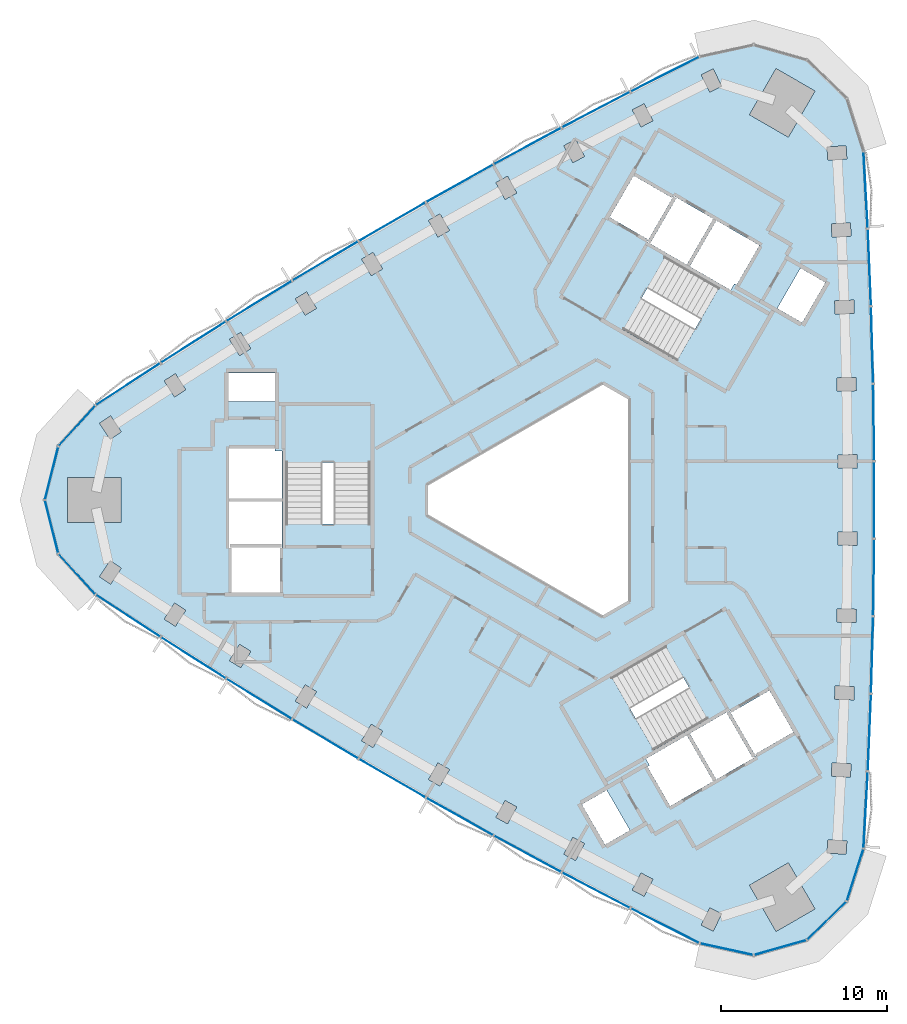
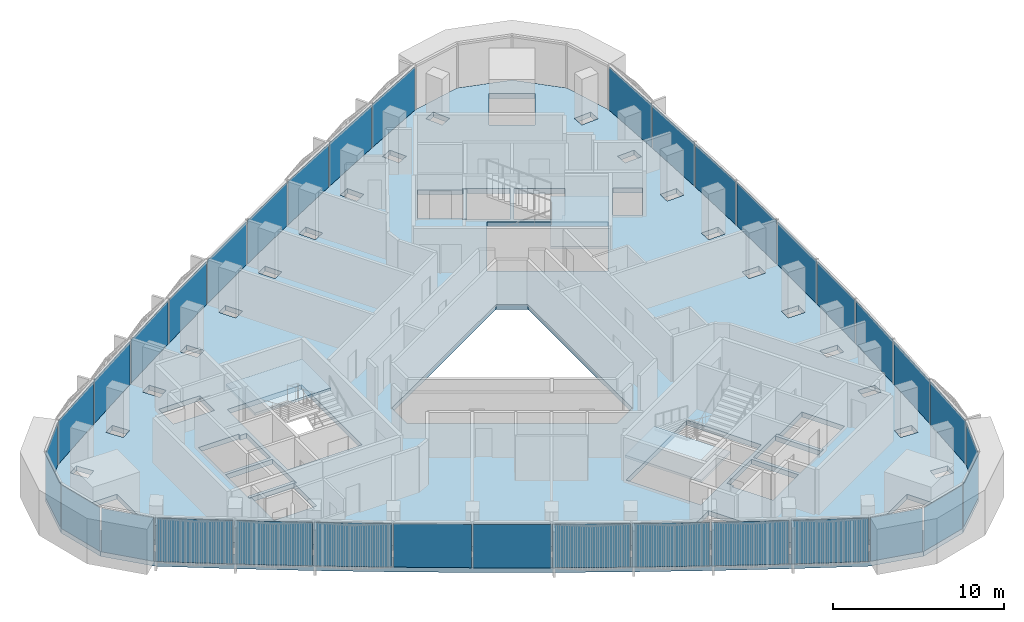
# One storey, part 6 of 13: 35 plates, 4 slabs, 6 elements without a shape of their own.
"""IFC4 building model written with IfcOpenShell, lengths in metres."""

from ifc_helpers import new_model, si_unit, direction, frame, origin, origin_2d, place, context, subcontext, project, spatial, polyline, rectangle, outline, extrude, material, layer, layer_set, type_object, element, aggregate, save


model = new_model("IFC4")

# Units and contexts
model_context = context("Model", 3, precision=1e-05, world=origin(), true_north=direction((0.0, 1.0)))
body_context = subcontext(model_context, "Body", "Model", "MODEL_VIEW")
ifc_project = project(units=[si_unit("LENGTHUNIT", "METRE"), si_unit("AREAUNIT", "SQUARE_METRE"), si_unit("VOLUMEUNIT", "CUBIC_METRE"), si_unit("PLANEANGLEUNIT", "RADIAN"), si_unit("MASSUNIT", "GRAM", prefix="KILO")], contexts=[model_context])

# Site, building, storey
site_placement = place(None, origin())
site = spatial("IfcSite", under=ifc_project, at=site_placement, CompositionType="ELEMENT")
building_placement = place(site_placement, origin())
building = spatial("IfcBuilding", under=site, at=building_placement, Name="Tamra Quay Hotel Tower", CompositionType="ELEMENT")
storey_placement = place(building_placement, frame((0.0, 0.0, 182.800048828125)))
storey = spatial("IfcBuildingStorey", under=building, at=storey_placement, Name="L45", CompositionType="ELEMENT", Elevation=182.800048828125)

# Stair, slab
ifc_material_1 = material(Name="Exit stair 2200 24 risers 150.0 going 342")
stair_type = type_object("IfcStairType", Name="Exit stair 2200 24 risers 150.0 going 342", PredefinedType="HALF_TURN_STAIR", material=ifc_material_1)
stair_1_placement = place(storey_placement, origin())
stair_1 = element("IfcStair", 1, at=stair_1_placement, inside=storey, type_object=stair_type, Name="L45 Exit stair ST3", PredefinedType="HALF_TURN_STAIR")
ifc_material_2 = material(Name="Concrete M70", Category="concrete")
ifc_layer_1 = layer(ifc_material_2, 0.175048828125)
ifc_layer_set_1 = layer_set([ifc_layer_1], Name="Concrete M70 stair landing 180")
slab_type_1 = type_object("IfcSlabType", Name="Concrete M70 stair landing 180", PredefinedType="LANDING", material=ifc_layer_set_1)
slab_1_placement = place(storey_placement, frame((0.0, 0.0, 1.625)))
slab_1 = element("IfcSlab", 2, at=slab_1_placement, type_object=slab_type_1, Name="ST3 landing 1", PredefinedType="LANDING", context=body_context, shape_type="SweptSolid", body=[
    extrude(outline(polyline([(-10.932373046875, 2.261962890625), (-10.932373046875, 5.679931640625), (-16.09130859375, 5.679931640625), (-16.09130859375, 2.261962890625), (-10.932373046875, 2.261962890625)])), origin(), (0.0, 0.0, 1.0), 0.175048828125),
])
aggregate(stair_1, [slab_1])

stair_2_placement = place(storey_placement, origin())
stair_2 = element("IfcStair", 3, at=stair_2_placement, inside=storey, type_object=stair_type, Name="L45 Exit stair ST1", PredefinedType="HALF_TURN_STAIR")
slab_2_placement = place(storey_placement, frame((0.0, 0.0, 1.625)))
slab_2 = element("IfcSlab", 4, at=slab_2_placement, type_object=slab_type_1, Name="ST1 landing 1", PredefinedType="LANDING", context=body_context, shape_type="SweptSolid", body=[
    extrude(outline(polyline([(7.425048828125, 8.336669921875), (10.385009765625, 6.627685546875), (12.964599609375, 11.095458984375), (10.00439453125, 12.804443359375), (7.425048828125, 8.336669921875)])), origin(), (0.0, 0.0, 1.0), 0.175048828125),
])
aggregate(stair_2, [slab_2])

stair_3_placement = place(storey_placement, origin())
stair_3 = element("IfcStair", 5, at=stair_3_placement, inside=storey, type_object=stair_type, Name="L45 Exit stair ST2", PredefinedType="HALF_TURN_STAIR")
slab_3_placement = place(storey_placement, frame((0.0, 0.0, 1.625)))
slab_3 = element("IfcSlab", 6, at=slab_3_placement, type_object=slab_type_1, Name="ST2 landing 1", PredefinedType="LANDING", context=body_context, shape_type="SweptSolid", body=[
    extrude(outline(polyline([(3.50732421875, -10.5986328125), (0.547119140625, -12.3076171875), (3.126708984375, -16.775390625), (6.086669921875, -15.06640625), (3.50732421875, -10.5986328125)])), origin(), (0.0, 0.0, 1.0), 0.175048828125),
])
aggregate(stair_3, [slab_3])

# Slab
ifc_material_3 = material(Name="Concrete M60", Category="concrete")
ifc_layer_2 = layer(ifc_material_3, 0.35009765625)
ifc_layer_set_2 = layer_set([ifc_layer_2], Name="FLOOR SLAB PT 350")
slab_type_2 = type_object("IfcSlabType", Name="FLOOR SLAB PT 350", PredefinedType="FLOOR", material=ifc_layer_set_2)
slab_4_placement = place(storey_placement, frame((0.0, 0.0, -0.35009765625)))
element("IfcSlab", 7, at=slab_4_placement, inside=storey, type_object=slab_type_2, Name="SLAB-L45", PredefinedType="FLOOR", context=body_context, shape_type="SweptSolid", body=[
    extrude(outline(polyline([(18.923583984375, 16.302734375), (19.117431640625, 11.646728515625), (19.246826171875, 6.989501953125), (19.3115234375, 2.330078125), (19.3115234375, -2.330078125), (19.246826171875, -6.989501953125), (19.117431640625, -11.646728515625), (18.923583984375, -16.302734375), (18.665283203125, -20.955078125), (17.65576171875, -24.1259765625), (15.2666015625, -26.4423828125), (12.06591796875, -27.353271484375), (8.81494140625, -26.642333984375), (4.65673828125, -24.539794921875), (0.527587890625, -22.379638671875), (-3.5703125, -20.1630859375), (-7.637939453125, -17.88916015625), (-11.673583984375, -15.55908203125), (-15.676513671875, -13.17333984375), (-19.645263671875, -10.73291015625), (-23.580322265625, -8.23681640625), (-27.48046875, -5.68701171875), (-29.7216796875, -3.227294921875), (-30.532958984375, 0.0), (-29.7216796875, 3.227294921875), (-27.48046875, 5.68701171875), (-23.580322265625, 8.23681640625), (-19.645263671875, 10.73291015625), (-15.676513671875, 13.17333984375), (-11.673583984375, 15.55908203125), (-7.637939453125, 17.88916015625), (-3.5703125, 20.1630859375), (0.527587890625, 22.379638671875), (4.65673828125, 24.539794921875), (8.81494140625, 26.642333984375), (12.06591796875, 27.353271484375), (15.2666015625, 26.4423828125), (17.65576171875, 24.1259765625), (18.665283203125, 20.955078125), (18.923583984375, 16.302734375)]), holes=[polyline([(-11.500244140625, -14.4736328125), (-10.810302734375, -14.87841796875), (-10.228271484375, -13.88671875), (-10.918212890625, -13.481689453125), (-11.500244140625, -14.4736328125)]), polyline([(-14.89208984375, -11.106689453125), (-15.488037109375, -12.09033203125), (-14.8037109375, -12.5048828125), (-14.207763671875, -11.521240234375), (-14.89208984375, -11.106689453125)]), polyline([(-18.83349609375, -8.6767578125), (-19.4423828125, -9.65234375), (-18.763916015625, -10.075927734375), (-18.15478515625, -9.100341796875), (-18.83349609375, -8.6767578125)]), polyline([(-23.362548828125, -7.159423828125), (-22.689697265625, -7.59228515625), (-22.0673828125, -6.62548828125), (-22.739990234375, -6.1923828125), (-23.362548828125, -7.159423828125)]), polyline([(-26.6123046875, -3.654296875), (-27.247802734375, -4.612548828125), (-26.5810546875, -5.0546875), (-25.945556640625, -4.096435546875), (-26.6123046875, -3.654296875)]), polyline([(-16.3173828125, -2.85498046875), (-19.4072265625, -2.85498046875), (-19.4072265625, -2.89306640625), (-19.307373046875, -2.89306640625), (-19.307373046875, -5.544921875), (-16.417236328125, -5.544921875), (-16.417236328125, -2.89306640625), (-16.3173828125, -2.89306640625), (-16.3173828125, -2.85498046875)]), polyline([(-19.417236328125, -2.64501953125), (-16.307373046875, -2.64501953125), (-16.307373046875, -2.89306640625), (-16.26708984375, -2.89306640625), (-16.26708984375, -0.10498046875), (-19.45751953125, -0.10498046875), (-19.45751953125, -2.89306640625), (-19.417236328125, -2.89306640625), (-19.417236328125, -2.64501953125)]), polyline([(-25.958984375, 1.35009765625), (-29.158935546875, 1.35009765625), (-29.158935546875, -1.35009765625), (-25.958984375, -1.35009765625), (-25.958984375, 1.35009765625)]), polyline([(-16.26708984375, 2.945068359375), (-16.707275390625, 2.945068359375), (-16.707275390625, 3.09521484375), (-19.45751953125, 3.09521484375), (-19.45751953125, 0.10498046875), (-16.26708984375, 0.10498046875), (-16.26708984375, 2.945068359375)]), polyline([(-10.9873046875, -1.455078125), (-10.9873046875, 5.625), (-16.036376953125, 5.625), (-16.036376953125, -1.455078125), (-10.9873046875, -1.455078125)]), polyline([(-25.945556640625, 4.096435546875), (-26.5810546875, 5.0546875), (-27.247802734375, 4.612548828125), (-26.6123046875, 3.654296875), (-25.945556640625, 4.096435546875)]), polyline([(-16.71728515625, 7.64501953125), (-19.50732421875, 7.64501953125), (-19.50732421875, 5.9150390625), (-16.71728515625, 5.9150390625), (-16.71728515625, 7.64501953125)]), polyline([(-22.689697265625, 7.59228515625), (-23.362548828125, 7.159423828125), (-22.739990234375, 6.1923828125), (-22.0673828125, 6.62548828125), (-22.689697265625, 7.59228515625)]), polyline([(-18.15478515625, 9.100341796875), (-18.763916015625, 10.075927734375), (-19.4423828125, 9.65234375), (-18.83349609375, 8.6767578125), (-18.15478515625, 9.100341796875)]), polyline([(-14.207763671875, 11.521240234375), (-14.8037109375, 12.5048828125), (-15.488037109375, 12.09033203125), (-14.89208984375, 11.106689453125), (-14.207763671875, 11.521240234375)]), polyline([(-10.810302734375, 14.87841796875), (-11.500244140625, 14.4736328125), (-10.918212890625, 13.481689453125), (-10.228271484375, 13.88671875), (-10.810302734375, 14.87841796875)]), polyline([(-6.21630859375, 16.196533203125), (-6.784423828125, 17.1962890625), (-7.47998046875, 16.80126953125), (-6.912109375, 15.801513671875), (-6.21630859375, 16.196533203125)]), polyline([(9.42529296875, -24.517578125), (8.9130859375, -25.547119140625), (9.629150390625, -25.903564453125), (10.141357421875, -24.8740234375), (9.42529296875, -24.517578125)]), polyline([(4.76953125, -23.4462890625), (5.48095703125, -23.812255859375), (6.007080078125, -22.78955078125), (5.2958984375, -22.423583984375), (4.76953125, -23.4462890625)]), polyline([(1.196533203125, -20.272705078125), (0.656005859375, -21.28759765625), (1.362060546875, -21.663818359375), (1.902587890625, -20.648681640625), (1.196533203125, -20.272705078125)]), polyline([(1.73779296875, -18.300048828125), (3.1328125, -20.71630859375), (4.631103515625, -19.851318359375), (3.236083984375, -17.43505859375), (1.73779296875, -18.300048828125)]), polyline([(-3.427734375, -19.072998046875), (-2.7265625, -19.458251953125), (-2.172607421875, -18.4501953125), (-2.873779296875, -18.06494140625), (-3.427734375, -19.072998046875)]), polyline([(-6.912109375, -15.801513671875), (-7.47998046875, -16.80126953125), (-6.784423828125, -17.1962890625), (-6.21630859375, -16.196533203125), (-6.912109375, -15.801513671875)]), polyline([(5.5830078125, -15.560302734375), (5.80322265625, -15.94140625), (5.673095703125, -16.0166015625), (7.04833984375, -18.398193359375), (9.6376953125, -16.903076171875), (8.042724609375, -14.14013671875), (5.5830078125, -15.560302734375)]), polyline([(11.999267578125, -15.493408203125), (10.4443359375, -12.800048828125), (10.6591796875, -12.676025390625), (10.63916015625, -12.64111328125), (8.224609375, -14.03515625), (9.819580078125, -16.798095703125), (12.234130859375, -15.404052734375), (12.214111328125, -15.369384765625), (11.999267578125, -15.493408203125)]), polyline([(9.2783203125, -13.160400390625), (6.75390625, -8.78759765625), (0.622314453125, -12.32763671875), (3.146728515625, -16.7001953125), (9.2783203125, -13.160400390625)]), polyline([(3.0, 7.043701171875), (-7.60009765625, 0.923828125), (-7.60009765625, -0.923828125), (3.0, -7.043701171875), (4.60009765625, -6.119873046875), (4.60009765625, 6.119873046875), (3.0, 7.043701171875)]), polyline([(4.2333984375, 10.242919921875), (10.364990234375, 6.702880859375), (12.889404296875, 11.075439453125), (6.758056640625, 14.615478515625), (4.2333984375, 10.242919921875)]), polyline([(7.203125, 18.262451171875), (7.41796875, 18.138427734375), (5.863037109375, 15.445068359375), (5.648193359375, 15.569091796875), (5.628173828125, 15.5341796875), (8.04248046875, 14.140380859375), (9.6376953125, 16.903076171875), (7.22314453125, 18.297119140625), (7.203125, 18.262451171875)]), polyline([(5.68603515625, 15.55859375), (7.231201171875, 18.234619140625), (7.1982421875, 18.253662109375), (7.148193359375, 18.1669921875), (4.8515625, 19.4931640625), (3.406494140625, 16.990234375), (5.703125, 15.664306640625), (5.6533203125, 15.57763671875), (5.68603515625, 15.55859375)]), polyline([(-2.7265625, 19.458251953125), (-3.427734375, 19.072998046875), (-2.873779296875, 18.06494140625), (-2.172607421875, 18.4501953125), (-2.7265625, 19.458251953125)]), polyline([(1.902587890625, 20.648681640625), (1.362060546875, 21.663818359375), (0.656005859375, 21.28759765625), (1.196533203125, 20.272705078125), (1.902587890625, 20.648681640625)]), polyline([(6.007080078125, 22.78955078125), (5.48095703125, 23.812255859375), (4.76953125, 23.4462890625), (5.2958984375, 22.423583984375), (6.007080078125, 22.78955078125)]), polyline([(9.629150390625, 25.903564453125), (8.9130859375, 25.547119140625), (9.42529296875, 24.517578125), (10.141357421875, 24.8740234375), (9.629150390625, 25.903564453125)]), polyline([(11.810302734375, -23.15625), (13.410400390625, -25.927490234375), (15.74853515625, -24.577392578125), (14.148681640625, -21.80615234375), (11.810302734375, -23.15625)]), polyline([(16.470703125, -21.2197265625), (17.61865234375, -21.291015625), (17.668212890625, -20.492431640625), (16.5205078125, -20.42138671875), (16.470703125, -21.2197265625)]), polyline([(17.881591796875, -16.65283203125), (17.920166015625, -15.853759765625), (16.771484375, -15.798095703125), (16.73291015625, -16.59716796875), (17.881591796875, -16.65283203125)]), polyline([(10.631103515625, -12.70361328125), (12.176025390625, -15.379638671875), (12.208984375, -15.360595703125), (12.1591796875, -15.274169921875), (14.455810546875, -13.947998046875), (13.0107421875, -11.4453125), (10.714111328125, -12.771240234375), (10.6640625, -12.6845703125), (10.631103515625, -12.70361328125)]), polyline([(16.930908203125, -11.971923828125), (18.080322265625, -12.011474609375), (18.10791015625, -11.2119140625), (16.95849609375, -11.172607421875), (16.930908203125, -11.971923828125)]), polyline([(18.214599609375, -7.367919921875), (18.2314453125, -6.568115234375), (17.081787109375, -6.543701171875), (17.064697265625, -7.343505859375), (18.214599609375, -7.367919921875)]), polyline([(17.134765625, -2.714599609375), (18.28466796875, -2.72265625), (18.290283203125, -1.9228515625), (17.140380859375, -1.914794921875), (17.134765625, -2.714599609375)]), polyline([(17.140380859375, 1.914794921875), (18.290283203125, 1.9228515625), (18.28466796875, 2.72265625), (17.134765625, 2.714599609375), (17.140380859375, 1.914794921875)]), polyline([(18.2314453125, 6.568115234375), (18.214599609375, 7.367919921875), (17.064697265625, 7.343505859375), (17.081787109375, 6.543701171875), (18.2314453125, 6.568115234375)]), polyline([(16.95849609375, 11.172607421875), (18.10791015625, 11.2119140625), (18.080322265625, 12.011474609375), (16.930908203125, 11.971923828125), (16.95849609375, 11.172607421875)]), polyline([(14.9794921875, 10.655029296875), (16.37451171875, 13.0712890625), (14.876220703125, 13.936279296875), (13.481201171875, 11.52001953125), (14.9794921875, 10.655029296875)]), polyline([(10.68408203125, 12.615234375), (10.904052734375, 12.996337890625), (11.0341796875, 12.92138671875), (12.4091796875, 15.302978515625), (9.819580078125, 16.798095703125), (8.224365234375, 14.035400390625), (10.68408203125, 12.615234375)]), polyline([(16.771484375, 15.798095703125), (17.920166015625, 15.853759765625), (17.881591796875, 16.65283203125), (16.73291015625, 16.59716796875), (16.771484375, 15.798095703125)]), polyline([(16.5205078125, 20.42138671875), (17.668212890625, 20.492431640625), (17.61865234375, 21.291015625), (16.470703125, 21.2197265625), (16.5205078125, 20.42138671875)]), polyline([(14.148681640625, 21.80615234375), (15.74853515625, 24.577392578125), (13.410400390625, 25.927490234375), (11.810302734375, 23.15625), (14.148681640625, 21.80615234375)])]), origin(), (0.0, 0.0, 1.0), 0.35009765625),
])

# Curtain wall, plates
ifc_material_4 = material(Name="Aluminium 6063 anodised dark grey", Category="aluminium")
curtain_wall_type_1 = type_object("IfcCurtainWallType", Name="CW1 CURTAIN WALL", PredefinedType="NOTDEFINED", material=ifc_material_4)
curtain_wall_1_placement = place(storey_placement, origin())
curtain_wall_1 = element("IfcCurtainWall", 8, at=curtain_wall_1_placement, inside=storey, type_object=curtain_wall_type_1, Name="CW1 east face L45", PredefinedType="NOTDEFINED")
ifc_material_5 = material(Name="Glass clear laminated low-iron", Category="glass")
ifc_layer_3 = layer(ifc_material_5, 0.030029296875)
ifc_layer_set_3 = layer_set([ifc_layer_3], Name="GLASS PANEL CW1 Z4")
plate_type_1 = type_object("IfcPlateType", Name="GLASS PANEL CW1 Z4", PredefinedType="CURTAIN_PANEL", material=ifc_layer_set_3)
plate_1_placement = place(storey_placement, frame((18.79443359375, -18.62890625, 0.0), z_axis=(0.0, 0.0, 1.0), x_axis=(0.055416978175, 0.998463298539, 0.0)))
plate_1 = element("IfcPlate", 9, at=plate_1_placement, type_object=plate_type_1, Name="CW1 glass L45.E.1", PredefinedType="CURTAIN_PANEL", context=body_context, shape_type="SweptSolid", body=[
    extrude(rectangle(XDim=4.5595703125, YDim=0.030029296875, at=origin_2d()), origin(), (0.0, 0.0, 1.0), 3.110107421875),
])
plate_2_placement = place(storey_placement, frame((19.0205078125, -13.974853515625, 0.0), z_axis=(0.0, 0.0, 1.0), x_axis=(0.041599830799, 0.999134352366, 0.0)))
plate_2 = element("IfcPlate", 10, at=plate_2_placement, type_object=plate_type_1, Name="CW1 glass L45.E.2", PredefinedType="CURTAIN_PANEL", context=body_context, shape_type="SweptSolid", body=[
    extrude(rectangle(XDim=4.56005859375, YDim=0.030029296875, at=origin_2d()), origin(), (0.0, 0.0, 1.0), 3.110107421875),
])
plate_3_placement = place(storey_placement, frame((19.18212890625, -9.318115234375, 0.0), z_axis=(0.0, 0.0, 1.0), x_axis=(0.02775369181, 0.999614792103, 0.0)))
plate_3 = element("IfcPlate", 11, at=plate_3_placement, type_object=plate_type_1, Name="CW1 glass L45.E.3", PredefinedType="CURTAIN_PANEL", context=body_context, shape_type="SweptSolid", body=[
    extrude(rectangle(XDim=4.55908203125, YDim=0.030029296875, at=origin_2d()), origin(), (0.0, 0.0, 1.0), 3.110107421875),
])
plate_4_placement = place(storey_placement, frame((19.279052734375, -4.65966796875, 0.0), z_axis=(0.0, 0.0, 1.0), x_axis=(0.013885994278, 0.999903584934, 0.0)))
plate_4 = element("IfcPlate", 12, at=plate_4_placement, type_object=plate_type_1, Name="CW1 glass L45.E.4", PredefinedType="CURTAIN_PANEL", context=body_context, shape_type="SweptSolid", body=[
    extrude(rectangle(XDim=4.56005859375, YDim=0.030029296875, at=origin_2d()), origin(), (0.0, 0.0, 1.0), 3.110107421875),
])
plate_5_placement = place(storey_placement, frame((19.3115234375, 0.0, 0.0), z_axis=(0.0, 0.0, 1.0), x_axis=(0.0, 1.0, 0.0)))
plate_5 = element("IfcPlate", 13, at=plate_5_placement, type_object=plate_type_1, Name="CW1 glass L45.E.5", PredefinedType="CURTAIN_PANEL", context=body_context, shape_type="SweptSolid", body=[
    extrude(rectangle(XDim=4.56005859375, YDim=0.030029296875, at=origin_2d()), origin(), (0.0, 0.0, 1.0), 3.110107421875),
])
plate_6_placement = place(storey_placement, frame((19.279052734375, 4.65966796875, 0.0), z_axis=(0.0, 0.0, 1.0), x_axis=(-0.013885994278, 0.999903584934, 0.0)))
plate_6 = element("IfcPlate", 14, at=plate_6_placement, type_object=plate_type_1, Name="CW1 glass L45.E.6", PredefinedType="CURTAIN_PANEL", context=body_context, shape_type="SweptSolid", body=[
    extrude(rectangle(XDim=4.56005859375, YDim=0.030029296875, at=origin_2d()), origin(), (0.0, 0.0, 1.0), 3.110107421875),
])
plate_7_placement = place(storey_placement, frame((19.18212890625, 9.318115234375, 0.0), z_axis=(0.0, 0.0, 1.0), x_axis=(-0.02775369181, 0.999614792103, 0.0)))
plate_7 = element("IfcPlate", 15, at=plate_7_placement, type_object=plate_type_1, Name="CW1 glass L45.E.7", PredefinedType="CURTAIN_PANEL", context=body_context, shape_type="SweptSolid", body=[
    extrude(rectangle(XDim=4.55908203125, YDim=0.030029296875, at=origin_2d()), origin(), (0.0, 0.0, 1.0), 3.110107421875),
])
plate_8_placement = place(storey_placement, frame((19.0205078125, 13.974853515625, 0.0), z_axis=(0.0, 0.0, 1.0), x_axis=(-0.041599830799, 0.999134352366, 0.0)))
plate_8 = element("IfcPlate", 16, at=plate_8_placement, type_object=plate_type_1, Name="CW1 glass L45.E.8", PredefinedType="CURTAIN_PANEL", context=body_context, shape_type="SweptSolid", body=[
    extrude(rectangle(XDim=4.56005859375, YDim=0.030029296875, at=origin_2d()), origin(), (0.0, 0.0, 1.0), 3.110107421875),
])
plate_9_placement = place(storey_placement, frame((18.79443359375, 18.62890625, 0.0), z_axis=(0.0, 0.0, 1.0), x_axis=(-0.055416978175, 0.998463298539, 0.0)))
plate_9 = element("IfcPlate", 17, at=plate_9_placement, type_object=plate_type_1, Name="CW1 glass L45.E.9", PredefinedType="CURTAIN_PANEL", context=body_context, shape_type="SweptSolid", body=[
    extrude(rectangle(XDim=4.5595703125, YDim=0.030029296875, at=origin_2d()), origin(), (0.0, 0.0, 1.0), 3.110107421875),
])
aggregate(curtain_wall_1, [plate_1, plate_2, plate_3, plate_4, plate_5, plate_6, plate_7, plate_8, plate_9])

curtain_wall_type_2 = type_object("IfcCurtainWallType", Name="CW2 CURTAIN WALL", PredefinedType="NOTDEFINED", material=ifc_material_4)
curtain_wall_2_placement = place(storey_placement, origin())
curtain_wall_2 = element("IfcCurtainWall", 18, at=curtain_wall_2_placement, inside=storey, type_object=curtain_wall_type_2, Name="CW2 north-west face L45", PredefinedType="NOTDEFINED")
ifc_layer_4 = layer(ifc_material_5, 0.030029296875)
ifc_layer_set_4 = layer_set([ifc_layer_4], Name="GLASS PANEL CW2 Z4")
plate_type_2 = type_object("IfcPlateType", Name="GLASS PANEL CW2 Z4", PredefinedType="CURTAIN_PANEL", material=ifc_layer_set_4)
plate_10_placement = place(storey_placement, frame((6.73583984375, 25.591064453125, 0.0), z_axis=(0.0, 0.0, 1.0), x_axis=(-0.892403070369, -0.451239138369, 0.0)))
plate_10 = element("IfcPlate", 19, at=plate_10_placement, type_object=plate_type_2, Name="CW2 glass L45.NW.1", PredefinedType="CURTAIN_PANEL", context=body_context, shape_type="SweptSolid", body=[
    extrude(rectangle(XDim=4.5595703125, YDim=0.030029296875, at=origin_2d()), origin(), (0.0, 0.0, 1.0), 3.110107421875),
])
plate_11_placement = place(storey_placement, frame((2.59228515625, 23.459716796875, 0.0), z_axis=(0.0, 0.0, 1.0), x_axis=(-0.886075646342, -0.463540665918, 0.0)))
plate_11 = element("IfcPlate", 20, at=plate_11_placement, type_object=plate_type_2, Name="CW2 glass L45.NW.2", PredefinedType="CURTAIN_PANEL", context=body_context, shape_type="SweptSolid", body=[
    extrude(rectangle(XDim=4.56005859375, YDim=0.030029296875, at=origin_2d()), origin(), (0.0, 0.0, 1.0), 3.110107421875),
])
plate_12_placement = place(storey_placement, frame((-1.521240234375, 21.271240234375, 0.0), z_axis=(0.0, 0.0, 1.0), x_axis=(-0.879568649865, -0.475771993896, 0.0)))
plate_12 = element("IfcPlate", 21, at=plate_12_placement, type_object=plate_type_2, Name="CW2 glass L45.NW.3", PredefinedType="CURTAIN_PANEL", context=body_context, shape_type="SweptSolid", body=[
    extrude(rectangle(XDim=4.55908203125, YDim=0.030029296875, at=origin_2d()), origin(), (0.0, 0.0, 1.0), 3.110107421875),
])
plate_13_placement = place(storey_placement, frame((-5.60400390625, 19.026123046875, 0.0), z_axis=(0.0, 0.0, 1.0), x_axis=(-0.872884903026, -0.487926168665, 0.0)))
plate_13 = element("IfcPlate", 22, at=plate_13_placement, type_object=plate_type_2, Name="CW2 glass L45.NW.4", PredefinedType="CURTAIN_PANEL", context=body_context, shape_type="SweptSolid", body=[
    extrude(rectangle(XDim=4.56005859375, YDim=0.030029296875, at=origin_2d()), origin(), (0.0, 0.0, 1.0), 3.110107421875),
])
plate_14_placement = place(storey_placement, frame((-9.65576171875, 16.72412109375, 0.0), z_axis=(0.0, 0.0, 1.0), x_axis=(-0.866025403784, -0.5, 0.0)))
plate_14 = element("IfcPlate", 23, at=plate_14_placement, type_object=plate_type_2, Name="CW2 glass L45.NW.5", PredefinedType="CURTAIN_PANEL", context=body_context, shape_type="SweptSolid", body=[
    extrude(rectangle(XDim=4.56005859375, YDim=0.030029296875, at=origin_2d()), origin(), (0.0, 0.0, 1.0), 3.110107421875),
])
plate_15_placement = place(storey_placement, frame((-13.675048828125, 14.3662109375, 0.0), z_axis=(0.0, 0.0, 1.0), x_axis=(-0.858998908749, -0.511977416268, 0.0)))
plate_15 = element("IfcPlate", 24, at=plate_15_placement, type_object=plate_type_2, Name="CW2 glass L45.NW.6", PredefinedType="CURTAIN_PANEL", context=body_context, shape_type="SweptSolid", body=[
    extrude(rectangle(XDim=4.56005859375, YDim=0.030029296875, at=origin_2d()), origin(), (0.0, 0.0, 1.0), 3.110107421875),
])
plate_16_placement = place(storey_placement, frame((-17.660888671875, 11.953125, 0.0), z_axis=(0.0, 0.0, 1.0), x_axis=(-0.851814958055, -0.523842798207, 0.0)))
plate_16 = element("IfcPlate", 25, at=plate_16_placement, type_object=plate_type_2, Name="CW2 glass L45.NW.7", PredefinedType="CURTAIN_PANEL", context=body_context, shape_type="SweptSolid", body=[
    extrude(rectangle(XDim=4.55908203125, YDim=0.030029296875, at=origin_2d()), origin(), (0.0, 0.0, 1.0), 3.110107421875),
])
plate_17_placement = place(storey_placement, frame((-21.61279296875, 9.48486328125, 0.0), z_axis=(0.0, 0.0, 1.0), x_axis=(-0.844475815543, -0.535593686448, 0.0)))
plate_17 = element("IfcPlate", 26, at=plate_17_placement, type_object=plate_type_2, Name="CW2 glass L45.NW.8", PredefinedType="CURTAIN_PANEL", context=body_context, shape_type="SweptSolid", body=[
    extrude(rectangle(XDim=4.56005859375, YDim=0.030029296875, at=origin_2d()), origin(), (0.0, 0.0, 1.0), 3.110107421875),
])
plate_18_placement = place(storey_placement, frame((-25.5302734375, 6.962158203125, 0.0), z_axis=(0.0, 0.0, 1.0), x_axis=(-0.836986092194, -0.54722416017, 0.0)))
plate_18 = element("IfcPlate", 27, at=plate_18_placement, type_object=plate_type_2, Name="CW2 glass L45.NW.9", PredefinedType="CURTAIN_PANEL", context=body_context, shape_type="SweptSolid", body=[
    extrude(rectangle(XDim=4.5595703125, YDim=0.030029296875, at=origin_2d()), origin(), (0.0, 0.0, 1.0), 3.110107421875),
])
plate_19_placement = place(storey_placement, frame((-28.60107421875, 4.457275390625, 0.0), z_axis=(0.0, 0.0, 1.0), x_axis=(-0.673495681519, -0.739191157262, 0.0)))
plate_19 = element("IfcPlate", 28, at=plate_19_placement, type_object=plate_type_2, Name="CW2 glass L45.NW.10", PredefinedType="CURTAIN_PANEL", context=body_context, shape_type="SweptSolid", body=[
    extrude(rectangle(XDim=3.227783203125, YDim=0.030029296875, at=origin_2d()), origin(), (0.0, 0.0, 1.0), 3.110107421875),
])
plate_20_placement = place(storey_placement, frame((-30.127197265625, 1.61376953125, 0.0), z_axis=(0.0, 0.0, 1.0), x_axis=(-0.243826260198, -0.969818928892, 0.0)))
plate_20 = element("IfcPlate", 29, at=plate_20_placement, type_object=plate_type_2, Name="CW2 glass L45.NW.11", PredefinedType="CURTAIN_PANEL", context=body_context, shape_type="SweptSolid", body=[
    extrude(rectangle(XDim=3.227783203125, YDim=0.030029296875, at=origin_2d()), origin(), (0.0, 0.0, 1.0), 3.110107421875),
])
plate_21_placement = place(storey_placement, frame((-30.127197265625, -1.61376953125, 0.0), z_axis=(0.0, 0.0, 1.0), x_axis=(0.243826260198, -0.969818928892, 0.0)))
plate_21 = element("IfcPlate", 30, at=plate_21_placement, type_object=plate_type_2, Name="CW2 glass L45.NW.12", PredefinedType="CURTAIN_PANEL", context=body_context, shape_type="SweptSolid", body=[
    extrude(rectangle(XDim=3.227783203125, YDim=0.030029296875, at=origin_2d()), origin(), (0.0, 0.0, 1.0), 3.110107421875),
])
plate_22_placement = place(storey_placement, frame((-28.60107421875, -4.457275390625, 0.0), z_axis=(0.0, 0.0, 1.0), x_axis=(0.673495681519, -0.739191157262, 0.0)))
plate_22 = element("IfcPlate", 31, at=plate_22_placement, type_object=plate_type_2, Name="CW2 glass L45.NW.13", PredefinedType="CURTAIN_PANEL", context=body_context, shape_type="SweptSolid", body=[
    extrude(rectangle(XDim=3.227783203125, YDim=0.030029296875, at=origin_2d()), origin(), (0.0, 0.0, 1.0), 3.110107421875),
])
aggregate(curtain_wall_2, [plate_10, plate_11, plate_12, plate_13, plate_14, plate_15, plate_16, plate_17, plate_18, plate_19, plate_20, plate_21, plate_22])

curtain_wall_type_3 = type_object("IfcCurtainWallType", Name="CW3 CURTAIN WALL", PredefinedType="NOTDEFINED", material=ifc_material_4)
curtain_wall_3_placement = place(storey_placement, origin())
curtain_wall_3 = element("IfcCurtainWall", 32, at=curtain_wall_3_placement, inside=storey, type_object=curtain_wall_type_3, Name="CW3 south-west face L45", PredefinedType="NOTDEFINED")
ifc_layer_5 = layer(ifc_material_5, 0.030029296875)
ifc_layer_set_5 = layer_set([ifc_layer_5], Name="GLASS PANEL CW3 Z4")
plate_type_3 = type_object("IfcPlateType", Name="GLASS PANEL CW3 Z4", PredefinedType="CURTAIN_PANEL", material=ifc_layer_set_5)
plate_23_placement = place(storey_placement, frame((-25.5302734375, -6.962158203125, 0.0), z_axis=(0.0, 0.0, 1.0), x_axis=(0.836986092194, -0.54722416017, 0.0)))
plate_23 = element("IfcPlate", 33, at=plate_23_placement, type_object=plate_type_3, Name="CW3 glass L45.SW.1", PredefinedType="CURTAIN_PANEL", context=body_context, shape_type="SweptSolid", body=[
    extrude(rectangle(XDim=4.5595703125, YDim=0.030029296875, at=origin_2d()), origin(), (0.0, 0.0, 1.0), 3.110107421875),
])
plate_24_placement = place(storey_placement, frame((-21.61279296875, -9.48486328125, 0.0), z_axis=(0.0, 0.0, 1.0), x_axis=(0.844475815543, -0.535593686448, 0.0)))
plate_24 = element("IfcPlate", 34, at=plate_24_placement, type_object=plate_type_3, Name="CW3 glass L45.SW.2", PredefinedType="CURTAIN_PANEL", context=body_context, shape_type="SweptSolid", body=[
    extrude(rectangle(XDim=4.56005859375, YDim=0.030029296875, at=origin_2d()), origin(), (0.0, 0.0, 1.0), 3.110107421875),
])
plate_25_placement = place(storey_placement, frame((-17.660888671875, -11.953125, 0.0), z_axis=(0.0, 0.0, 1.0), x_axis=(0.851814958055, -0.523842798207, 0.0)))
plate_25 = element("IfcPlate", 35, at=plate_25_placement, type_object=plate_type_3, Name="CW3 glass L45.SW.3", PredefinedType="CURTAIN_PANEL", context=body_context, shape_type="SweptSolid", body=[
    extrude(rectangle(XDim=4.55908203125, YDim=0.030029296875, at=origin_2d()), origin(), (0.0, 0.0, 1.0), 3.110107421875),
])
plate_26_placement = place(storey_placement, frame((-13.675048828125, -14.3662109375, 0.0), z_axis=(0.0, 0.0, 1.0), x_axis=(0.858998908749, -0.511977416268, 0.0)))
plate_26 = element("IfcPlate", 36, at=plate_26_placement, type_object=plate_type_3, Name="CW3 glass L45.SW.4", PredefinedType="CURTAIN_PANEL", context=body_context, shape_type="SweptSolid", body=[
    extrude(rectangle(XDim=4.56005859375, YDim=0.030029296875, at=origin_2d()), origin(), (0.0, 0.0, 1.0), 3.110107421875),
])
plate_27_placement = place(storey_placement, frame((-9.65576171875, -16.72412109375, 0.0), z_axis=(0.0, 0.0, 1.0), x_axis=(0.866025403784, -0.5, 0.0)))
plate_27 = element("IfcPlate", 37, at=plate_27_placement, type_object=plate_type_3, Name="CW3 glass L45.SW.5", PredefinedType="CURTAIN_PANEL", context=body_context, shape_type="SweptSolid", body=[
    extrude(rectangle(XDim=4.56005859375, YDim=0.030029296875, at=origin_2d()), origin(), (0.0, 0.0, 1.0), 3.110107421875),
])
plate_28_placement = place(storey_placement, frame((-5.60400390625, -19.026123046875, 0.0), z_axis=(0.0, 0.0, 1.0), x_axis=(0.872884903026, -0.487926168665, 0.0)))
plate_28 = element("IfcPlate", 38, at=plate_28_placement, type_object=plate_type_3, Name="CW3 glass L45.SW.6", PredefinedType="CURTAIN_PANEL", context=body_context, shape_type="SweptSolid", body=[
    extrude(rectangle(XDim=4.56005859375, YDim=0.030029296875, at=origin_2d()), origin(), (0.0, 0.0, 1.0), 3.110107421875),
])
plate_29_placement = place(storey_placement, frame((-1.521240234375, -21.271240234375, 0.0), z_axis=(0.0, 0.0, 1.0), x_axis=(0.879568649865, -0.475771993896, 0.0)))
plate_29 = element("IfcPlate", 39, at=plate_29_placement, type_object=plate_type_3, Name="CW3 glass L45.SW.7", PredefinedType="CURTAIN_PANEL", context=body_context, shape_type="SweptSolid", body=[
    extrude(rectangle(XDim=4.55908203125, YDim=0.030029296875, at=origin_2d()), origin(), (0.0, 0.0, 1.0), 3.110107421875),
])
plate_30_placement = place(storey_placement, frame((2.59228515625, -23.459716796875, 0.0), z_axis=(0.0, 0.0, 1.0), x_axis=(0.886075646342, -0.463540665918, 0.0)))
plate_30 = element("IfcPlate", 40, at=plate_30_placement, type_object=plate_type_3, Name="CW3 glass L45.SW.8", PredefinedType="CURTAIN_PANEL", context=body_context, shape_type="SweptSolid", body=[
    extrude(rectangle(XDim=4.56005859375, YDim=0.030029296875, at=origin_2d()), origin(), (0.0, 0.0, 1.0), 3.110107421875),
])
plate_31_placement = place(storey_placement, frame((6.73583984375, -25.591064453125, 0.0), z_axis=(0.0, 0.0, 1.0), x_axis=(0.892403070369, -0.451239138369, 0.0)))
plate_31 = element("IfcPlate", 41, at=plate_31_placement, type_object=plate_type_3, Name="CW3 glass L45.SW.9", PredefinedType="CURTAIN_PANEL", context=body_context, shape_type="SweptSolid", body=[
    extrude(rectangle(XDim=4.5595703125, YDim=0.030029296875, at=origin_2d()), origin(), (0.0, 0.0, 1.0), 3.110107421875),
])
plate_32_placement = place(storey_placement, frame((10.4404296875, -26.997802734375, 0.0), z_axis=(0.0, 0.0, 1.0), x_axis=(0.976906161202, -0.213668790904, 0.0)))
plate_32 = element("IfcPlate", 42, at=plate_32_placement, type_object=plate_type_3, Name="CW3 glass L45.SW.10", PredefinedType="CURTAIN_PANEL", context=body_context, shape_type="SweptSolid", body=[
    extrude(rectangle(XDim=3.227783203125, YDim=0.030029296875, at=origin_2d()), origin(), (0.0, 0.0, 1.0), 3.110107421875),
])
plate_33_placement = place(storey_placement, frame((13.666259765625, -26.897705078125, 0.0), z_axis=(0.0, 0.0, 1.0), x_axis=(0.961800959591, 0.273749729005, 0.0)))
plate_33 = element("IfcPlate", 43, at=plate_33_placement, type_object=plate_type_3, Name="CW3 glass L45.SW.11", PredefinedType="CURTAIN_PANEL", context=body_context, shape_type="SweptSolid", body=[
    extrude(rectangle(XDim=3.227783203125, YDim=0.030029296875, at=origin_2d()), origin(), (0.0, 0.0, 1.0), 3.110107421875),
])
plate_34_placement = place(storey_placement, frame((16.461181640625, -25.2841796875, 0.0), z_axis=(0.0, 0.0, 1.0), x_axis=(0.717974699393, 0.696069199888, 0.0)))
plate_34 = element("IfcPlate", 44, at=plate_34_placement, type_object=plate_type_3, Name="CW3 glass L45.SW.12", PredefinedType="CURTAIN_PANEL", context=body_context, shape_type="SweptSolid", body=[
    extrude(rectangle(XDim=3.227783203125, YDim=0.030029296875, at=origin_2d()), origin(), (0.0, 0.0, 1.0), 3.110107421875),
])
plate_35_placement = place(storey_placement, frame((18.16064453125, -22.54052734375, 0.0), z_axis=(0.0, 0.0, 1.0), x_axis=(0.303410479682, 0.952859948166, 0.0)))
plate_35 = element("IfcPlate", 45, at=plate_35_placement, type_object=plate_type_3, Name="CW3 glass L45.SW.13", PredefinedType="CURTAIN_PANEL", context=body_context, shape_type="SweptSolid", body=[
    extrude(rectangle(XDim=3.227783203125, YDim=0.030029296875, at=origin_2d()), origin(), (0.0, 0.0, 1.0), 3.110107421875),
])
aggregate(curtain_wall_3, [plate_23, plate_24, plate_25, plate_26, plate_27, plate_28, plate_29, plate_30, plate_31, plate_32, plate_33, plate_34, plate_35])

save(model, "model.ifc")
